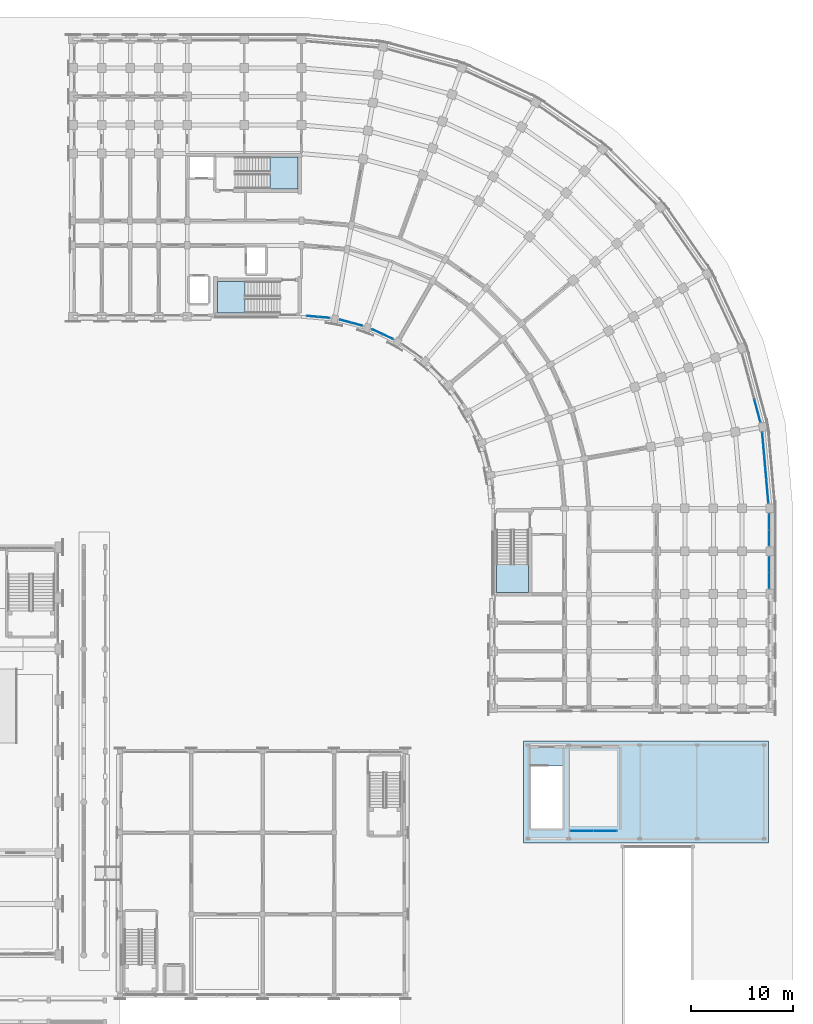
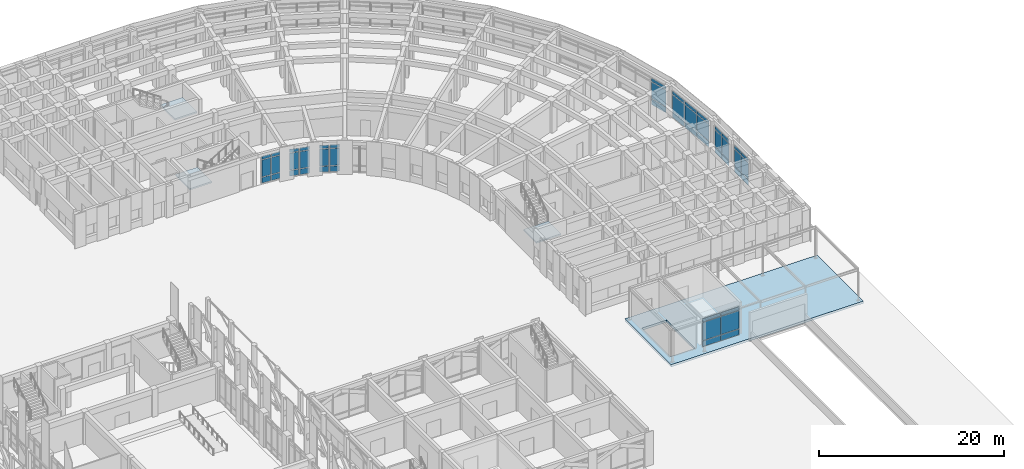
# One storey, part 70 of 135: 48 plates, 4 slabs, 11 elements without a shape of their own.
"""IFC4 building model written with IfcOpenShell, lengths in metres."""

import ifcopenshell
import ifcopenshell.guid

model = None  # the IFC model being written
_history = None  # IfcOwnerHistory: only IFC2X3 demands one
_inside = {}  # id of a spatial element -> (the spatial element, [elements in it])
_under = {}  # id of a project, library or spatial element -> (it, [spatial elements below it])
_declared = {}  # id of a project -> (the project, [libraries it declares])
_typed = {}  # id of a type object -> (the type object, [elements of that type])
_made_of = {}  # id of a material, layer set ... -> (it, [elements and type objects made of it])


def new_model(schema):
    """Start an empty IFC model of exactly this schema.

    Asked for "IFC4X3", IfcOpenShell would pick the latest addendum, in which some entities
    have other attributes; the version numbers below select the first issue.
    IFC2X3 requires an IfcOwnerHistory on every rooted entity: one is made here for all.
    """
    global model, _history
    if schema == "IFC4X3":
        model = ifcopenshell.file(schema_version=(4, 3, 0, 0))
    else:
        model = ifcopenshell.file(schema=schema)
    _inside.clear()
    _under.clear()
    _declared.clear()
    _typed.clear()
    _made_of.clear()
    _history = None
    if model.schema == "IFC2X3":
        org = make("IfcOrganization", Name="unknown")
        user = make(
            "IfcPersonAndOrganization",
            ThePerson=make("IfcPerson", FamilyName="unknown"),
            TheOrganization=org,
        )
        app = make(
            "IfcApplication",
            ApplicationDeveloper=org,
            Version="unknown",
            ApplicationFullName="unknown",
            ApplicationIdentifier="unknown",
        )
        _history = make(
            "IfcOwnerHistory",
            OwningUser=user,
            OwningApplication=app,
            ChangeAction="ADDED",
            CreationDate=0,
        )
    return model


def make(cls, **values):
    """One entity of the class cls with the attributes given. An attribute that is None is left unset."""
    return model.create_entity(
        cls, **{name: value for name, value in values.items() if value is not None}
    )


def rooted(cls, **values):
    """An entity with a GlobalId (a new one), such as an element, a storey or a relation."""
    return make(cls, GlobalId=ifcopenshell.guid.new(), OwnerHistory=_history, **values)


def si_unit(unit_type, name, prefix=None):
    """IfcSIUnit, for example si_unit("LENGTHUNIT", "METRE", prefix="MILLI")."""
    return make("IfcSIUnit", UnitType=unit_type, Prefix=prefix, Name=name)


def assignment(units):
    """IfcUnitAssignment: the units of a project."""
    return None if units is None else make("IfcUnitAssignment", Units=units)


def point(xyz):
    """IfcCartesianPoint."""
    return None if xyz is None else make("IfcCartesianPoint", Coordinates=xyz)


def direction(xyz):
    """IfcDirection."""
    return None if xyz is None else make("IfcDirection", DirectionRatios=xyz)


def frame(location, z_axis=None, x_axis=None):
    """IfcAxis2Placement3D, a coordinate frame: its origin and axes. An axis left out is left unset."""
    return make(
        "IfcAxis2Placement3D",
        Location=point(location),
        Axis=direction(z_axis),
        RefDirection=direction(x_axis),
    )


def frame_2d(location, x_axis=None):
    """IfcAxis2Placement2D, a coordinate frame in the plane: its origin and x axis."""
    return make(
        "IfcAxis2Placement2D", Location=point(location), RefDirection=direction(x_axis)
    )


def origin():
    """The frame at (0, 0, 0) with its axes left unset."""
    return frame((0.0, 0.0, 0.0))


def origin_2d():
    """The frame at (0, 0) in the plane with its x axis left unset."""
    return frame_2d((0.0, 0.0))


def place(relative_to, where):
    """IfcLocalPlacement: puts the frame where relative to a parent placement (None: the world)."""
    return make(
        "IfcLocalPlacement", PlacementRelTo=relative_to, RelativePlacement=where
    )


def context(
    kind, dimensions, precision=None, world=None, true_north=None, identifier=None
):
    """IfcGeometricRepresentationContext, for example the 3D "Model" context."""
    return make(
        "IfcGeometricRepresentationContext",
        ContextIdentifier=identifier,
        ContextType=kind,
        CoordinateSpaceDimension=dimensions,
        Precision=precision,
        WorldCoordinateSystem=world,
        TrueNorth=true_north,
    )


def subcontext(parent, identifier, kind, view, scale=None):
    """IfcGeometricRepresentationSubContext, for example "Body" below "Model"."""
    return make(
        "IfcGeometricRepresentationSubContext",
        ContextIdentifier=identifier,
        ContextType=kind,
        ParentContext=parent,
        TargetScale=scale,
        TargetView=view,
    )


def project(units=None, contexts=None):
    """IfcProject with its units and contexts."""
    return rooted(
        "IfcProject",
        Name="project",
        RepresentationContexts=contexts,
        UnitsInContext=assignment(units),
    )


def spatial(cls, under=None, at=None, **own):
    """A site, building, storey or space (cls), placed at a placement, below another one or the project."""
    s = rooted(cls, ObjectPlacement=at, **own)
    if under is not None:
        _under.setdefault(under.id(), (under, []))[1].append(s)
    return s


def polyline(points):
    """IfcPolyline through the points."""
    return make("IfcPolyline", Points=[point(p) for p in points])


def profile(cls, at=None, kind="AREA", **sizes):
    """A parametric profile (cls). Its sizes go by their IFC names, for example OverallWidth=200.0."""
    return make(cls, ProfileType=kind, Position=at, **sizes)


def rectangle(**sizes):
    """IfcRectangleProfileDef."""
    return profile("IfcRectangleProfileDef", **sizes)


def outline(outer, holes=None, kind="AREA"):
    """IfcArbitraryClosedProfileDef: a profile drawn as a closed curve; with holes, ...WithVoids."""
    if holes is None:
        return make("IfcArbitraryClosedProfileDef", ProfileType=kind, OuterCurve=outer)
    return make(
        "IfcArbitraryProfileDefWithVoids",
        ProfileType=kind,
        OuterCurve=outer,
        InnerCurves=holes,
    )


def extrude(swept, where, along, depth):
    """IfcExtrudedAreaSolid: the profile swept, set in the frame where, extruded along a direction by depth."""
    return make(
        "IfcExtrudedAreaSolid",
        SweptArea=swept,
        Position=where,
        ExtrudedDirection=direction(along),
        Depth=depth,
    )


def shape(context_of_items, identifier, shape_type, items):
    """IfcShapeRepresentation: the items that make up one representation, for example the "Body"."""
    return make(
        "IfcShapeRepresentation",
        ContextOfItems=context_of_items,
        RepresentationIdentifier=identifier,
        RepresentationType=shape_type,
        Items=items,
    )


def material(Name=None, Category=None):
    """IfcMaterial."""
    return make("IfcMaterial", Name=Name, Category=Category)


def layer(
    of_material, thickness, ventilated=None, Name=None, Category=None, Priority=None
):
    """IfcMaterialLayer: one layer of a wall or slab, of a material (None: an air gap)."""
    return make(
        "IfcMaterialLayer",
        Material=of_material,
        LayerThickness=thickness,
        IsVentilated=ventilated,
        Name=Name,
        Category=Category,
        Priority=Priority,
    )


def layer_set(layers, Name=None):
    """IfcMaterialLayerSet."""
    return make("IfcMaterialLayerSet", MaterialLayers=layers, LayerSetName=Name)


def made_of(thing, what):
    """Note that an element or type object is made of a material, layer set ...; save() writes the relation."""
    if what is not None:
        _made_of.setdefault(what.id(), (what, []))[1].append(thing)
    return thing


def type_object(cls, material=None, **own):
    """A type object (cls), such as IfcWallType, which elements share."""
    return made_of(rooted(cls, **own), material)


def element(
    cls,
    number,
    at=None,
    inside=None,
    cuts=None,
    type_object=None,
    material=None,
    context=None,
    identifier="Body",
    shape_type=None,
    held_by="IfcProductDefinitionShape",
    body=None,
    shapes=None,
    **own,
):
    """One element of the class cls, such as IfcWall. Its Tag is "e" and its number.

    at: its placement. inside: the storey or other place that contains it. cuts: it is an
    opening in that element (IfcRelVoidsElement). A single representation is given by context,
    identifier, shape_type and body (its items); several are given by shapes. held_by: the class
    of the entity that holds the representations. save() writes the other relations.
    """
    e = rooted(cls, Tag="e%d" % number, ObjectPlacement=at, **own)
    if body is not None:
        shapes = [shape(context, identifier, shape_type, body)]
    if shapes is not None:
        e.Representation = make(held_by, Representations=shapes)
    if inside is not None:
        _inside.setdefault(inside.id(), (inside, []))[1].append(e)
    if cuts is not None:
        rooted(
            "IfcRelVoidsElement", RelatingBuildingElement=cuts, RelatedOpeningElement=e
        )
    if type_object is not None:
        _typed.setdefault(type_object.id(), (type_object, []))[1].append(e)
    return made_of(e, material)


def aggregate(whole, parts):
    """IfcRelAggregates: a whole, such as a stair, and the parts it consists of."""
    return rooted("IfcRelAggregates", RelatingObject=whole, RelatedObjects=parts)


def save(model, path):
    """Write the relations noted so far, then the file.

    IfcRelAggregates (storeys below a building ...), IfcRelContainedInSpatialStructure (elements
    in a storey), IfcRelDefinesByType, IfcRelAssociatesMaterial and IfcRelDeclares: one each for
    every whole, place, type object, material and project.
    """
    for whole, parts in _under.values():
        aggregate(whole, parts)
    for where, things in _inside.values():
        rooted(
            "IfcRelContainedInSpatialStructure",
            RelatedElements=things,
            RelatingStructure=where,
        )
    for kind, things in _typed.values():
        rooted("IfcRelDefinesByType", RelatedObjects=things, RelatingType=kind)
    for what, things in _made_of.values():
        rooted("IfcRelAssociatesMaterial", RelatedObjects=things, RelatingMaterial=what)
    for by, libraries in _declared.values():
        rooted("IfcRelDeclares", RelatingContext=by, RelatedDefinitions=libraries)
    model.write(path)


model = new_model("IFC4")

# Units and contexts
model_context = context("Model", 3, precision=1e-05, world=origin(), true_north=direction((0.0, 1.0)))
body_context = subcontext(model_context, "Body", "Model", "MODEL_VIEW")
ifc_project = project(units=[si_unit("LENGTHUNIT", "METRE"), si_unit("AREAUNIT", "SQUARE_METRE"), si_unit("VOLUMEUNIT", "CUBIC_METRE"), si_unit("PLANEANGLEUNIT", "RADIAN"), si_unit("MASSUNIT", "GRAM", prefix="KILO")], contexts=[model_context])

# Site, building, storey
site_placement = place(None, origin())
site = spatial("IfcSite", under=ifc_project, at=site_placement, CompositionType="ELEMENT")
building_placement = place(site_placement, origin())
building = spatial("IfcBuilding", under=site, at=building_placement, Name="Kiranvali Square Residences", CompositionType="ELEMENT")
storey_placement = place(building_placement, origin())
storey = spatial("IfcBuildingStorey", under=building, at=storey_placement, Name="L00", CompositionType="ELEMENT", Elevation=0.0)

# Curtain wall, plates
ifc_material_1 = material(Name="Anodised bronze aluminium framing", Category="aluminium")
curtain_wall_type = type_object("IfcCurtainWallType", Name="CW-RET-SHOP", PredefinedType="USERDEFINED", material=ifc_material_1)
curtain_wall_1_placement = place(storey_placement, origin())
curtain_wall_1 = element("IfcCurtainWall", 1, at=curtain_wall_1_placement, inside=storey, type_object=curtain_wall_type, Name="Block B L00 rounded-corner arcade curtain wall 8", ObjectType="CURTAIN WALL", PredefinedType="USERDEFINED")
ifc_material_2 = material(Name="Solar-control low-e double glazing", Category="glass")
ifc_layer_1 = layer(ifc_material_2, 0.028076171875)
ifc_layer_set_1 = layer_set([ifc_layer_1], Name="Solar-control low-e double glazing")
plate_type_1 = type_object("IfcPlateType", Name="PLT-CW-GLZ", PredefinedType="CURTAIN_PANEL", material=ifc_layer_set_1)
plate_1_placement = place(storey_placement, frame((164.51904296875, 97.381103515625, 0.89013671875), z_axis=(0.0, 0.0, 1.0), x_axis=(0.258819045103, -0.965925826289, 0.0)))
plate_1 = element("IfcPlate", 2, at=plate_1_placement, type_object=plate_type_1, Name="CW-B-L00-CRV-07 glazed panel 3.2", PredefinedType="CURTAIN_PANEL", context=body_context, shape_type="SweptSolid", body=[
    extrude(rectangle(XDim=2.239501953125, YDim=0.028076171875, at=origin_2d()), origin(), (0.0, 0.0, 1.0), 2.169921875),
])
plate_2_placement = place(storey_placement, frame((164.51904296875, 97.381103515625, 3.14013671875), z_axis=(0.0, 0.0, 1.0), x_axis=(0.258819045103, -0.965925826289, 0.0)))
plate_2 = element("IfcPlate", 3, at=plate_2_placement, type_object=plate_type_1, Name="CW-B-L00-CRV-07 glazed panel 3.3", PredefinedType="CURTAIN_PANEL", context=body_context, shape_type="SweptSolid", body=[
    extrude(rectangle(XDim=2.239501953125, YDim=0.028076171875, at=origin_2d()), origin(), (0.0, 0.0, 1.0), 0.429931640625),
])

curtain_wall_2_placement = place(storey_placement, origin())
curtain_wall_2 = element("IfcCurtainWall", 4, at=curtain_wall_2_placement, inside=storey, type_object=curtain_wall_type, Name="Block B L00 rounded-corner arcade curtain wall 9", ObjectType="CURTAIN WALL", PredefinedType="USERDEFINED")
plate_3_placement = place(storey_placement, frame((165.09912109375, 94.091552734375, 0.89013671875), z_axis=(0.0, 0.0, 1.0), x_axis=(0.087155742748, -0.996194698092, 0.0)))
plate_3 = element("IfcPlate", 5, at=plate_3_placement, type_object=plate_type_1, Name="CW-B-L00-CRV-08 glazed panel 1.2", PredefinedType="CURTAIN_PANEL", context=body_context, shape_type="SweptSolid", body=[
    extrude(rectangle(XDim=2.239501953125, YDim=0.028076171875, at=origin_2d()), origin(), (0.0, 0.0, 1.0), 2.169921875),
])
plate_4_placement = place(storey_placement, frame((165.09912109375, 94.091552734375, 3.14013671875), z_axis=(0.0, 0.0, 1.0), x_axis=(0.087155742748, -0.996194698092, 0.0)))
plate_4 = element("IfcPlate", 6, at=plate_4_placement, type_object=plate_type_1, Name="CW-B-L00-CRV-08 glazed panel 1.3", PredefinedType="CURTAIN_PANEL", context=body_context, shape_type="SweptSolid", body=[
    extrude(rectangle(XDim=2.239501953125, YDim=0.028076171875, at=origin_2d()), origin(), (0.0, 0.0, 1.0), 0.429931640625),
])
plate_5_placement = place(storey_placement, frame((165.30126953125, 91.78076171875, 0.89013671875), z_axis=(0.0, 0.0, 1.0), x_axis=(0.087155742748, -0.996194698092, 0.0)))
plate_5 = element("IfcPlate", 7, at=plate_5_placement, type_object=plate_type_1, Name="CW-B-L00-CRV-08 glazed panel 2.2", PredefinedType="CURTAIN_PANEL", context=body_context, shape_type="SweptSolid", body=[
    extrude(rectangle(XDim=2.239501953125, YDim=0.028076171875, at=origin_2d()), origin(), (0.0, 0.0, 1.0), 2.169921875),
])
plate_6_placement = place(storey_placement, frame((165.30126953125, 91.78076171875, 3.14013671875), z_axis=(0.0, 0.0, 1.0), x_axis=(0.087155742748, -0.996194698092, 0.0)))
plate_6 = element("IfcPlate", 8, at=plate_6_placement, type_object=plate_type_1, Name="CW-B-L00-CRV-08 glazed panel 2.3", PredefinedType="CURTAIN_PANEL", context=body_context, shape_type="SweptSolid", body=[
    extrude(rectangle(XDim=2.239501953125, YDim=0.028076171875, at=origin_2d()), origin(), (0.0, 0.0, 1.0), 0.429931640625),
])
plate_7_placement = place(storey_placement, frame((165.50341796875, 89.47021484375, 0.89013671875), z_axis=(0.0, 0.0, 1.0), x_axis=(0.087155742748, -0.996194698092, 0.0)))
plate_7 = element("IfcPlate", 9, at=plate_7_placement, type_object=plate_type_1, Name="CW-B-L00-CRV-08 glazed panel 3.2", PredefinedType="CURTAIN_PANEL", context=body_context, shape_type="SweptSolid", body=[
    extrude(rectangle(XDim=2.239501953125, YDim=0.028076171875, at=origin_2d()), origin(), (0.0, 0.0, 1.0), 2.169921875),
])
plate_8_placement = place(storey_placement, frame((165.50341796875, 89.47021484375, 3.14013671875), z_axis=(0.0, 0.0, 1.0), x_axis=(0.087155742748, -0.996194698092, 0.0)))
plate_8 = element("IfcPlate", 10, at=plate_8_placement, type_object=plate_type_1, Name="CW-B-L00-CRV-08 glazed panel 3.3", PredefinedType="CURTAIN_PANEL", context=body_context, shape_type="SweptSolid", body=[
    extrude(rectangle(XDim=2.239501953125, YDim=0.028076171875, at=origin_2d()), origin(), (0.0, 0.0, 1.0), 0.429931640625),
])

curtain_wall_3_placement = place(storey_placement, origin())
curtain_wall_3 = element("IfcCurtainWall", 11, at=curtain_wall_3_placement, inside=storey, type_object=curtain_wall_type, Name="Block B L00 garden foyer curtain wall 1", ObjectType="CURTAIN WALL", PredefinedType="USERDEFINED")
plate_9_placement = place(storey_placement, frame((120.875732421875, 106.62646484375, 0.89013671875), z_axis=(0.0, 0.0, 1.0), x_axis=(0.996194698092, -0.087155742748, 0.0)))
plate_9 = element("IfcPlate", 12, at=plate_9_placement, type_object=plate_type_1, Name="CW-B-L00-GDN-00 glazed panel 1.2", PredefinedType="CURTAIN_PANEL", context=body_context, shape_type="SweptSolid", body=[
    extrude(rectangle(XDim=1.05859375, YDim=0.028076171875, at=origin_2d()), origin(), (0.0, 0.0, 1.0), 2.219970703125),
])
plate_10_placement = place(storey_placement, frame((120.875732421875, 106.62646484375, 3.18994140625), z_axis=(0.0, 0.0, 1.0), x_axis=(0.996194698092, -0.087155742748, 0.0)))
plate_10 = element("IfcPlate", 13, at=plate_10_placement, type_object=plate_type_1, Name="CW-B-L00-GDN-00 glazed panel 1.3", PredefinedType="CURTAIN_PANEL", context=body_context, shape_type="SweptSolid", body=[
    extrude(rectangle(XDim=1.05859375, YDim=0.028076171875, at=origin_2d()), origin(), (0.0, 0.0, 1.0), 0.429931640625),
])
plate_11_placement = place(storey_placement, frame((122.009765625, 106.527099609375, 0.89013671875), z_axis=(0.0, 0.0, 1.0), x_axis=(0.996194698092, -0.087155742748, 0.0)))
plate_11 = element("IfcPlate", 14, at=plate_11_placement, type_object=plate_type_1, Name="CW-B-L00-GDN-00 glazed panel 2.2", PredefinedType="CURTAIN_PANEL", context=body_context, shape_type="SweptSolid", body=[
    extrude(rectangle(XDim=1.05859375, YDim=0.028076171875, at=origin_2d()), origin(), (0.0, 0.0, 1.0), 2.219970703125),
])
plate_12_placement = place(storey_placement, frame((122.009765625, 106.527099609375, 3.18994140625), z_axis=(0.0, 0.0, 1.0), x_axis=(0.996194698092, -0.087155742748, 0.0)))
plate_12 = element("IfcPlate", 15, at=plate_12_placement, type_object=plate_type_1, Name="CW-B-L00-GDN-00 glazed panel 2.3", PredefinedType="CURTAIN_PANEL", context=body_context, shape_type="SweptSolid", body=[
    extrude(rectangle(XDim=1.05859375, YDim=0.028076171875, at=origin_2d()), origin(), (0.0, 0.0, 1.0), 0.429931640625),
])

curtain_wall_4_placement = place(storey_placement, origin())
curtain_wall_4 = element("IfcCurtainWall", 16, at=curtain_wall_4_placement, inside=storey, type_object=curtain_wall_type, Name="Block B L00 garden foyer curtain wall 2", ObjectType="CURTAIN WALL", PredefinedType="USERDEFINED")
plate_13_placement = place(storey_placement, frame((124.12841796875, 106.153564453125, 0.89013671875), z_axis=(0.0, 0.0, 1.0), x_axis=(0.965925826289, -0.258819045103, 0.0)))
plate_13 = element("IfcPlate", 17, at=plate_13_placement, type_object=plate_type_1, Name="CW-B-L00-GDN-01 glazed panel 1.2", PredefinedType="CURTAIN_PANEL", context=body_context, shape_type="SweptSolid", body=[
    extrude(rectangle(XDim=1.05859375, YDim=0.028076171875, at=origin_2d()), origin(), (0.0, 0.0, 1.0), 2.219970703125),
])
plate_14_placement = place(storey_placement, frame((124.12841796875, 106.153564453125, 3.18994140625), z_axis=(0.0, 0.0, 1.0), x_axis=(0.965925826289, -0.258819045103, 0.0)))
plate_14 = element("IfcPlate", 18, at=plate_14_placement, type_object=plate_type_1, Name="CW-B-L00-GDN-01 glazed panel 1.3", PredefinedType="CURTAIN_PANEL", context=body_context, shape_type="SweptSolid", body=[
    extrude(rectangle(XDim=1.05859375, YDim=0.028076171875, at=origin_2d()), origin(), (0.0, 0.0, 1.0), 0.429931640625),
])
plate_15_placement = place(storey_placement, frame((125.228271484375, 105.85888671875, 0.89013671875), z_axis=(0.0, 0.0, 1.0), x_axis=(0.965925826289, -0.258819045103, 0.0)))
plate_15 = element("IfcPlate", 19, at=plate_15_placement, type_object=plate_type_1, Name="CW-B-L00-GDN-01 glazed panel 2.2", PredefinedType="CURTAIN_PANEL", context=body_context, shape_type="SweptSolid", body=[
    extrude(rectangle(XDim=1.05859375, YDim=0.028076171875, at=origin_2d()), origin(), (0.0, 0.0, 1.0), 2.219970703125),
])
plate_16_placement = place(storey_placement, frame((125.228271484375, 105.85888671875, 3.18994140625), z_axis=(0.0, 0.0, 1.0), x_axis=(0.965925826289, -0.258819045103, 0.0)))
plate_16 = element("IfcPlate", 20, at=plate_16_placement, type_object=plate_type_1, Name="CW-B-L00-GDN-01 glazed panel 2.3", PredefinedType="CURTAIN_PANEL", context=body_context, shape_type="SweptSolid", body=[
    extrude(rectangle(XDim=1.05859375, YDim=0.028076171875, at=origin_2d()), origin(), (0.0, 0.0, 1.0), 0.429931640625),
])

curtain_wall_5_placement = place(storey_placement, origin())
curtain_wall_5 = element("IfcCurtainWall", 21, at=curtain_wall_5_placement, inside=storey, type_object=curtain_wall_type, Name="Block B L00 garden foyer curtain wall 3", ObjectType="CURTAIN WALL", PredefinedType="USERDEFINED")
plate_17_placement = place(storey_placement, frame((127.249755859375, 105.123046875, 0.89013671875), z_axis=(0.0, 0.0, 1.0), x_axis=(0.906307787037, -0.422618261741, 0.0)))
plate_17 = element("IfcPlate", 22, at=plate_17_placement, type_object=plate_type_1, Name="CW-B-L00-GDN-02 glazed panel 1.2", PredefinedType="CURTAIN_PANEL", context=body_context, shape_type="SweptSolid", body=[
    extrude(rectangle(XDim=1.05859375, YDim=0.028076171875, at=origin_2d()), origin(), (0.0, 0.0, 1.0), 2.219970703125),
])
plate_18_placement = place(storey_placement, frame((127.249755859375, 105.123046875, 3.18994140625), z_axis=(0.0, 0.0, 1.0), x_axis=(0.906307787037, -0.422618261741, 0.0)))
plate_18 = element("IfcPlate", 23, at=plate_18_placement, type_object=plate_type_1, Name="CW-B-L00-GDN-02 glazed panel 1.3", PredefinedType="CURTAIN_PANEL", context=body_context, shape_type="SweptSolid", body=[
    extrude(rectangle(XDim=1.05859375, YDim=0.028076171875, at=origin_2d()), origin(), (0.0, 0.0, 1.0), 0.429931640625),
])
plate_19_placement = place(storey_placement, frame((128.28173828125, 104.641845703125, 0.89013671875), z_axis=(0.0, 0.0, 1.0), x_axis=(0.906307787037, -0.422618261741, 0.0)))
plate_19 = element("IfcPlate", 24, at=plate_19_placement, type_object=plate_type_1, Name="CW-B-L00-GDN-02 glazed panel 2.2", PredefinedType="CURTAIN_PANEL", context=body_context, shape_type="SweptSolid", body=[
    extrude(rectangle(XDim=1.05859375, YDim=0.028076171875, at=origin_2d()), origin(), (0.0, 0.0, 1.0), 2.219970703125),
])
plate_20_placement = place(storey_placement, frame((128.28173828125, 104.641845703125, 3.18994140625), z_axis=(0.0, 0.0, 1.0), x_axis=(0.906307787037, -0.422618261741, 0.0)))
plate_20 = element("IfcPlate", 25, at=plate_20_placement, type_object=plate_type_1, Name="CW-B-L00-GDN-02 glazed panel 2.3", PredefinedType="CURTAIN_PANEL", context=body_context, shape_type="SweptSolid", body=[
    extrude(rectangle(XDim=1.05859375, YDim=0.028076171875, at=origin_2d()), origin(), (0.0, 0.0, 1.0), 0.429931640625),
])

curtain_wall_6_placement = place(storey_placement, origin())
curtain_wall_6 = element("IfcCurtainWall", 26, at=curtain_wall_6_placement, inside=storey, type_object=curtain_wall_type, Name="L00 curtain wall CW-B-L00-A2-0", ObjectType="CURTAIN WALL", PredefinedType="USERDEFINED")
plate_21_placement = place(storey_placement, frame((165.679931640625, 86.485107421875, 0.89013671875), z_axis=(0.0, 0.0, 1.0), x_axis=(0.0, -1.0, 0.0)))
plate_21 = element("IfcPlate", 27, at=plate_21_placement, type_object=plate_type_1, Name="CW-B-L00-A2-0 glazed panel 1.2", PredefinedType="CURTAIN_PANEL", context=body_context, shape_type="SweptSolid", body=[
    extrude(rectangle(XDim=1.489990234375, YDim=0.028076171875, at=origin_2d()), origin(), (0.0, 0.0, 1.0), 2.169921875),
])
plate_22_placement = place(storey_placement, frame((165.679931640625, 86.485107421875, 3.14013671875), z_axis=(0.0, 0.0, 1.0), x_axis=(0.0, -1.0, 0.0)))
plate_22 = element("IfcPlate", 28, at=plate_22_placement, type_object=plate_type_1, Name="CW-B-L00-A2-0 glazed panel 1.3", PredefinedType="CURTAIN_PANEL", context=body_context, shape_type="SweptSolid", body=[
    extrude(rectangle(XDim=1.489990234375, YDim=0.028076171875, at=origin_2d()), origin(), (0.0, 0.0, 1.0), 0.429931640625),
])
plate_23_placement = place(storey_placement, frame((165.679931640625, 84.9150390625, 0.89013671875), z_axis=(0.0, 0.0, 1.0), x_axis=(0.0, -1.0, 0.0)))
plate_23 = element("IfcPlate", 29, at=plate_23_placement, type_object=plate_type_1, Name="CW-B-L00-A2-0 glazed panel 2.2", PredefinedType="CURTAIN_PANEL", context=body_context, shape_type="SweptSolid", body=[
    extrude(rectangle(XDim=1.489990234375, YDim=0.028076171875, at=origin_2d()), origin(), (0.0, 0.0, 1.0), 2.169921875),
])
plate_24_placement = place(storey_placement, frame((165.679931640625, 84.9150390625, 3.14013671875), z_axis=(0.0, 0.0, 1.0), x_axis=(0.0, -1.0, 0.0)))
plate_24 = element("IfcPlate", 30, at=plate_24_placement, type_object=plate_type_1, Name="CW-B-L00-A2-0 glazed panel 2.3", PredefinedType="CURTAIN_PANEL", context=body_context, shape_type="SweptSolid", body=[
    extrude(rectangle(XDim=1.489990234375, YDim=0.028076171875, at=origin_2d()), origin(), (0.0, 0.0, 1.0), 0.429931640625),
])

curtain_wall_7_placement = place(storey_placement, origin())
curtain_wall_7 = element("IfcCurtainWall", 31, at=curtain_wall_7_placement, inside=storey, type_object=curtain_wall_type, Name="L00 curtain wall CW-B-L00-A2-1", ObjectType="CURTAIN WALL", PredefinedType="USERDEFINED")
plate_25_placement = place(storey_placement, frame((165.679931640625, 82.284912109375, 0.89013671875), z_axis=(0.0, 0.0, 1.0), x_axis=(0.0, -1.0, 0.0)))
plate_25 = element("IfcPlate", 32, at=plate_25_placement, type_object=plate_type_1, Name="CW-B-L00-A2-1 glazed panel 1.2", PredefinedType="CURTAIN_PANEL", context=body_context, shape_type="SweptSolid", body=[
    extrude(rectangle(XDim=1.489990234375, YDim=0.028076171875, at=origin_2d()), origin(), (0.0, 0.0, 1.0), 2.169921875),
])
plate_26_placement = place(storey_placement, frame((165.679931640625, 82.284912109375, 3.14013671875), z_axis=(0.0, 0.0, 1.0), x_axis=(0.0, -1.0, 0.0)))
plate_26 = element("IfcPlate", 33, at=plate_26_placement, type_object=plate_type_1, Name="CW-B-L00-A2-1 glazed panel 1.3", PredefinedType="CURTAIN_PANEL", context=body_context, shape_type="SweptSolid", body=[
    extrude(rectangle(XDim=1.489990234375, YDim=0.028076171875, at=origin_2d()), origin(), (0.0, 0.0, 1.0), 0.429931640625),
])
plate_27_placement = place(storey_placement, frame((165.679931640625, 80.715087890625, 0.89013671875), z_axis=(0.0, 0.0, 1.0), x_axis=(0.0, -1.0, 0.0)))
plate_27 = element("IfcPlate", 34, at=plate_27_placement, type_object=plate_type_1, Name="CW-B-L00-A2-1 glazed panel 2.2", PredefinedType="CURTAIN_PANEL", context=body_context, shape_type="SweptSolid", body=[
    extrude(rectangle(XDim=1.489990234375, YDim=0.028076171875, at=origin_2d()), origin(), (0.0, 0.0, 1.0), 2.169921875),
])
plate_28_placement = place(storey_placement, frame((165.679931640625, 80.715087890625, 3.14013671875), z_axis=(0.0, 0.0, 1.0), x_axis=(0.0, -1.0, 0.0)))
plate_28 = element("IfcPlate", 35, at=plate_28_placement, type_object=plate_type_1, Name="CW-B-L00-A2-1 glazed panel 2.3", PredefinedType="CURTAIN_PANEL", context=body_context, shape_type="SweptSolid", body=[
    extrude(rectangle(XDim=1.489990234375, YDim=0.028076171875, at=origin_2d()), origin(), (0.0, 0.0, 1.0), 0.429931640625),
])

curtain_wall_8_placement = place(storey_placement, origin())
curtain_wall_8 = element("IfcCurtainWall", 36, at=curtain_wall_8_placement, inside=storey, type_object=curtain_wall_type, Name="East Street Mobility Kiosk South Glazed Front", ObjectType="CURTAIN WALL", PredefinedType="USERDEFINED")
plate_29_placement = place(storey_placement, frame((147.300048828125, 56.14990234375, 0.889892578125), z_axis=(0.0, 0.0, 1.0), x_axis=(1.0, 0.0, 0.0)))
plate_29 = element("IfcPlate", 37, at=plate_29_placement, type_object=plate_type_1, Name="CW-KSK-E-1 glazed panel 1.2", PredefinedType="CURTAIN_PANEL", context=body_context, shape_type="SweptSolid", body=[
    extrude(rectangle(XDim=2.219970703125, YDim=0.028076171875, at=origin_2d()), origin(), (0.0, 0.0, 1.0), 2.3701171875),
])
plate_30_placement = place(storey_placement, frame((147.300048828125, 56.14990234375, 3.33984375), z_axis=(0.0, 0.0, 1.0), x_axis=(1.0, 0.0, 0.0)))
plate_30 = element("IfcPlate", 38, at=plate_30_placement, type_object=plate_type_1, Name="CW-KSK-E-1 glazed panel 1.3", PredefinedType="CURTAIN_PANEL", context=body_context, shape_type="SweptSolid", body=[
    extrude(rectangle(XDim=2.219970703125, YDim=0.028076171875, at=origin_2d()), origin(), (0.0, 0.0, 1.0), 0.429931640625),
])
plate_31_placement = place(storey_placement, frame((149.60009765625, 56.14990234375, 0.889892578125), z_axis=(0.0, 0.0, 1.0), x_axis=(1.0, 0.0, 0.0)))
plate_31 = element("IfcPlate", 39, at=plate_31_placement, type_object=plate_type_1, Name="CW-KSK-E-1 glazed panel 2.2", PredefinedType="CURTAIN_PANEL", context=body_context, shape_type="SweptSolid", body=[
    extrude(rectangle(XDim=2.219970703125, YDim=0.028076171875, at=origin_2d()), origin(), (0.0, 0.0, 1.0), 2.3701171875),
])
plate_32_placement = place(storey_placement, frame((149.60009765625, 56.14990234375, 3.33984375), z_axis=(0.0, 0.0, 1.0), x_axis=(1.0, 0.0, 0.0)))
plate_32 = element("IfcPlate", 40, at=plate_32_placement, type_object=plate_type_1, Name="CW-KSK-E-1 glazed panel 2.3", PredefinedType="CURTAIN_PANEL", context=body_context, shape_type="SweptSolid", body=[
    extrude(rectangle(XDim=2.219970703125, YDim=0.028076171875, at=origin_2d()), origin(), (0.0, 0.0, 1.0), 0.429931640625),
])

# Plate
ifc_material_3 = material(Name="Honed Porbandar limestone ashlar facade cladding", Category="masonry")
ifc_layer_2 = layer(ifc_material_3, 0.02392578125)
ifc_layer_set_2 = layer_set([ifc_layer_2], Name="Honed Porbandar limestone ashlar facade cladding")
plate_type_2 = type_object("IfcPlateType", Name="PLT-CW-SPN", PredefinedType="SHEET", material=ifc_layer_set_2)
plate_33_placement = place(storey_placement, frame((164.51904296875, 97.381103515625, 0.080078125), z_axis=(0.0, 0.0, 1.0), x_axis=(0.258819045103, -0.965925826289, 0.0)))
plate_33 = element("IfcPlate", 41, at=plate_33_placement, type_object=plate_type_2, Name="CW-B-L00-CRV-07 spandrel panel 3.1", PredefinedType="SHEET", context=body_context, shape_type="SweptSolid", body=[
    extrude(rectangle(XDim=2.239501953125, YDim=0.02392578125, at=origin_2d()), origin(), (0.0, 0.0, 1.0), 0.72998046875),
])

aggregate(curtain_wall_1, [plate_33, plate_1, plate_2])

plate_34_placement = place(storey_placement, frame((165.09912109375, 94.091552734375, 0.080078125), z_axis=(0.0, 0.0, 1.0), x_axis=(0.087155742748, -0.996194698092, 0.0)))
plate_34 = element("IfcPlate", 42, at=plate_34_placement, type_object=plate_type_2, Name="CW-B-L00-CRV-08 spandrel panel 1.1", PredefinedType="SHEET", context=body_context, shape_type="SweptSolid", body=[
    extrude(rectangle(XDim=2.239501953125, YDim=0.02392578125, at=origin_2d()), origin(), (0.0, 0.0, 1.0), 0.72998046875),
])

plate_35_placement = place(storey_placement, frame((165.30126953125, 91.78076171875, 0.080078125), z_axis=(0.0, 0.0, 1.0), x_axis=(0.087155742748, -0.996194698092, 0.0)))
plate_35 = element("IfcPlate", 43, at=plate_35_placement, type_object=plate_type_2, Name="CW-B-L00-CRV-08 spandrel panel 2.1", PredefinedType="SHEET", context=body_context, shape_type="SweptSolid", body=[
    extrude(rectangle(XDim=2.239501953125, YDim=0.02392578125, at=origin_2d()), origin(), (0.0, 0.0, 1.0), 0.72998046875),
])

plate_36_placement = place(storey_placement, frame((165.50341796875, 89.47021484375, 0.080078125), z_axis=(0.0, 0.0, 1.0), x_axis=(0.087155742748, -0.996194698092, 0.0)))
plate_36 = element("IfcPlate", 44, at=plate_36_placement, type_object=plate_type_2, Name="CW-B-L00-CRV-08 spandrel panel 3.1", PredefinedType="SHEET", context=body_context, shape_type="SweptSolid", body=[
    extrude(rectangle(XDim=2.239501953125, YDim=0.02392578125, at=origin_2d()), origin(), (0.0, 0.0, 1.0), 0.72998046875),
])

aggregate(curtain_wall_2, [plate_34, plate_3, plate_4, plate_35, plate_5, plate_6, plate_36, plate_7, plate_8])

plate_37_placement = place(storey_placement, frame((120.875732421875, 106.62646484375, 0.080078125), z_axis=(0.0, 0.0, 1.0), x_axis=(0.996194698092, -0.087155742748, 0.0)))
plate_37 = element("IfcPlate", 45, at=plate_37_placement, type_object=plate_type_2, Name="CW-B-L00-GDN-00 spandrel panel 1.1", PredefinedType="SHEET", context=body_context, shape_type="SweptSolid", body=[
    extrude(rectangle(XDim=1.05859375, YDim=0.02392578125, at=origin_2d()), origin(), (0.0, 0.0, 1.0), 0.72998046875),
])

plate_38_placement = place(storey_placement, frame((122.009765625, 106.527099609375, 0.080078125), z_axis=(0.0, 0.0, 1.0), x_axis=(0.996194698092, -0.087155742748, 0.0)))
plate_38 = element("IfcPlate", 46, at=plate_38_placement, type_object=plate_type_2, Name="CW-B-L00-GDN-00 spandrel panel 2.1", PredefinedType="SHEET", context=body_context, shape_type="SweptSolid", body=[
    extrude(rectangle(XDim=1.05859375, YDim=0.02392578125, at=origin_2d()), origin(), (0.0, 0.0, 1.0), 0.72998046875),
])

aggregate(curtain_wall_3, [plate_37, plate_9, plate_10, plate_38, plate_11, plate_12])

plate_39_placement = place(storey_placement, frame((124.12841796875, 106.153564453125, 0.080078125), z_axis=(0.0, 0.0, 1.0), x_axis=(0.965925826289, -0.258819045103, 0.0)))
plate_39 = element("IfcPlate", 47, at=plate_39_placement, type_object=plate_type_2, Name="CW-B-L00-GDN-01 spandrel panel 1.1", PredefinedType="SHEET", context=body_context, shape_type="SweptSolid", body=[
    extrude(rectangle(XDim=1.05859375, YDim=0.02392578125, at=origin_2d()), origin(), (0.0, 0.0, 1.0), 0.72998046875),
])

plate_40_placement = place(storey_placement, frame((125.228271484375, 105.85888671875, 0.080078125), z_axis=(0.0, 0.0, 1.0), x_axis=(0.965925826289, -0.258819045103, 0.0)))
plate_40 = element("IfcPlate", 48, at=plate_40_placement, type_object=plate_type_2, Name="CW-B-L00-GDN-01 spandrel panel 2.1", PredefinedType="SHEET", context=body_context, shape_type="SweptSolid", body=[
    extrude(rectangle(XDim=1.05859375, YDim=0.02392578125, at=origin_2d()), origin(), (0.0, 0.0, 1.0), 0.72998046875),
])

aggregate(curtain_wall_4, [plate_39, plate_13, plate_14, plate_40, plate_15, plate_16])

plate_41_placement = place(storey_placement, frame((127.249755859375, 105.123046875, 0.080078125), z_axis=(0.0, 0.0, 1.0), x_axis=(0.906307787037, -0.422618261741, 0.0)))
plate_41 = element("IfcPlate", 49, at=plate_41_placement, type_object=plate_type_2, Name="CW-B-L00-GDN-02 spandrel panel 1.1", PredefinedType="SHEET", context=body_context, shape_type="SweptSolid", body=[
    extrude(rectangle(XDim=1.05859375, YDim=0.02392578125, at=origin_2d()), origin(), (0.0, 0.0, 1.0), 0.72998046875),
])

plate_42_placement = place(storey_placement, frame((128.28173828125, 104.641845703125, 0.080078125), z_axis=(0.0, 0.0, 1.0), x_axis=(0.906307787037, -0.422618261741, 0.0)))
plate_42 = element("IfcPlate", 50, at=plate_42_placement, type_object=plate_type_2, Name="CW-B-L00-GDN-02 spandrel panel 2.1", PredefinedType="SHEET", context=body_context, shape_type="SweptSolid", body=[
    extrude(rectangle(XDim=1.05859375, YDim=0.02392578125, at=origin_2d()), origin(), (0.0, 0.0, 1.0), 0.72998046875),
])

aggregate(curtain_wall_5, [plate_41, plate_17, plate_18, plate_42, plate_19, plate_20])

plate_43_placement = place(storey_placement, frame((165.679931640625, 86.485107421875, 0.080078125), z_axis=(0.0, 0.0, 1.0), x_axis=(0.0, -1.0, 0.0)))
plate_43 = element("IfcPlate", 51, at=plate_43_placement, type_object=plate_type_2, Name="CW-B-L00-A2-0 spandrel panel 1.1", PredefinedType="SHEET", context=body_context, shape_type="SweptSolid", body=[
    extrude(rectangle(XDim=1.489990234375, YDim=0.02392578125, at=origin_2d()), origin(), (0.0, 0.0, 1.0), 0.72998046875),
])

plate_44_placement = place(storey_placement, frame((165.679931640625, 84.9150390625, 0.080078125), z_axis=(0.0, 0.0, 1.0), x_axis=(0.0, -1.0, 0.0)))
plate_44 = element("IfcPlate", 52, at=plate_44_placement, type_object=plate_type_2, Name="CW-B-L00-A2-0 spandrel panel 2.1", PredefinedType="SHEET", context=body_context, shape_type="SweptSolid", body=[
    extrude(rectangle(XDim=1.489990234375, YDim=0.02392578125, at=origin_2d()), origin(), (0.0, 0.0, 1.0), 0.72998046875),
])

aggregate(curtain_wall_6, [plate_43, plate_21, plate_22, plate_44, plate_23, plate_24])

plate_45_placement = place(storey_placement, frame((165.679931640625, 82.284912109375, 0.080078125), z_axis=(0.0, 0.0, 1.0), x_axis=(0.0, -1.0, 0.0)))
plate_45 = element("IfcPlate", 53, at=plate_45_placement, type_object=plate_type_2, Name="CW-B-L00-A2-1 spandrel panel 1.1", PredefinedType="SHEET", context=body_context, shape_type="SweptSolid", body=[
    extrude(rectangle(XDim=1.489990234375, YDim=0.02392578125, at=origin_2d()), origin(), (0.0, 0.0, 1.0), 0.72998046875),
])

plate_46_placement = place(storey_placement, frame((165.679931640625, 80.715087890625, 0.080078125), z_axis=(0.0, 0.0, 1.0), x_axis=(0.0, -1.0, 0.0)))
plate_46 = element("IfcPlate", 54, at=plate_46_placement, type_object=plate_type_2, Name="CW-B-L00-A2-1 spandrel panel 2.1", PredefinedType="SHEET", context=body_context, shape_type="SweptSolid", body=[
    extrude(rectangle(XDim=1.489990234375, YDim=0.02392578125, at=origin_2d()), origin(), (0.0, 0.0, 1.0), 0.72998046875),
])

aggregate(curtain_wall_7, [plate_45, plate_25, plate_26, plate_46, plate_27, plate_28])

plate_47_placement = place(storey_placement, frame((147.300048828125, 56.14990234375, 0.080078125), z_axis=(0.0, 0.0, 1.0), x_axis=(1.0, 0.0, 0.0)))
plate_47 = element("IfcPlate", 55, at=plate_47_placement, type_object=plate_type_2, Name="CW-KSK-E-1 spandrel panel 1.1", PredefinedType="SHEET", context=body_context, shape_type="SweptSolid", body=[
    extrude(rectangle(XDim=2.219970703125, YDim=0.02392578125, at=origin_2d()), origin(), (0.0, 0.0, 1.0), 0.72998046875),
])

plate_48_placement = place(storey_placement, frame((149.60009765625, 56.14990234375, 0.080078125), z_axis=(0.0, 0.0, 1.0), x_axis=(1.0, 0.0, 0.0)))
plate_48 = element("IfcPlate", 56, at=plate_48_placement, type_object=plate_type_2, Name="CW-KSK-E-1 spandrel panel 2.1", PredefinedType="SHEET", context=body_context, shape_type="SweptSolid", body=[
    extrude(rectangle(XDim=2.219970703125, YDim=0.02392578125, at=origin_2d()), origin(), (0.0, 0.0, 1.0), 0.72998046875),
])

aggregate(curtain_wall_8, [plate_47, plate_29, plate_30, plate_48, plate_31, plate_32])

# Stair, slab
ifc_material_4 = material(Name="Concrete M35 (35 MPa)", Category="concrete")
stair_type = type_object("IfcStairType", Name="ST-CORE-1700", PredefinedType="HALF_TURN_STAIR", material=ifc_material_4)
stair_1_placement = place(storey_placement, origin())
stair_1 = element("IfcStair", 57, at=stair_1_placement, inside=storey, type_object=stair_type, Name="L00 Block B Firefighting Exit Stair 1", PredefinedType="HALF_TURN_STAIR")
ifc_layer_3 = layer(ifc_material_4, 0.199951171875)
ifc_layer_set_3 = layer_set([ifc_layer_3], Name="Concrete M35 (35 MPa)")
slab_type_1 = type_object("IfcSlabType", Name="SLB-LND-200", PredefinedType="LANDING", material=ifc_layer_set_3)
slab_1_placement = place(storey_placement, frame((0.0, 0.0, 2.050048828125)))
slab_1 = element("IfcSlab", 58, at=slab_1_placement, type_object=slab_type_1, Name="ST-B1 landing 1", PredefinedType="LANDING", context=body_context, shape_type="SweptSolid", body=[
    extrude(outline(polyline([(116.719970703125, 119.14990234375), (119.449951171875, 119.14990234375), (119.449951171875, 122.25), (116.719970703125, 122.25), (116.719970703125, 119.14990234375)])), origin(), (0.0, 0.0, 1.0), 0.199951171875),
])
aggregate(stair_1, [slab_1])

stair_2_placement = place(storey_placement, origin())
stair_2 = element("IfcStair", 59, at=stair_2_placement, inside=storey, type_object=stair_type, Name="L00 Block B Protected Exit Stair 2", PredefinedType="HALF_TURN_STAIR")
slab_2_placement = place(storey_placement, frame((0.0, 0.0, 2.050048828125)))
slab_2 = element("IfcSlab", 60, at=slab_2_placement, type_object=slab_type_1, Name="ST-B2 landing 1", PredefinedType="LANDING", context=body_context, shape_type="SweptSolid", body=[
    extrude(outline(polyline([(114.280029296875, 110.050048828125), (111.550048828125, 110.050048828125), (111.550048828125, 106.949951171875), (114.280029296875, 106.949951171875), (114.280029296875, 110.050048828125)])), origin(), (0.0, 0.0, 1.0), 0.199951171875),
])
aggregate(stair_2, [slab_2])

stair_3_placement = place(storey_placement, origin())
stair_3 = element("IfcStair", 61, at=stair_3_placement, inside=storey, type_object=stair_type, Name="L00 Block B Wing Protected Exit Stair 3", PredefinedType="HALF_TURN_STAIR")
slab_3_placement = place(storey_placement, frame((0.0, 0.0, 2.050048828125)))
slab_3 = element("IfcSlab", 62, at=slab_3_placement, type_object=slab_type_1, Name="ST-B3 landing 1", PredefinedType="LANDING", context=body_context, shape_type="SweptSolid", body=[
    extrude(outline(polyline([(138.949951171875, 82.280029296875), (138.949951171875, 79.550048828125), (142.050048828125, 79.550048828125), (142.050048828125, 82.280029296875), (138.949951171875, 82.280029296875)])), origin(), (0.0, 0.0, 1.0), 0.199951171875),
])
aggregate(stair_3, [slab_3])

# Slab
ifc_material_5 = material(Name="Concrete M40 (40 MPa)", Category="concrete")
ifc_layer_4 = layer(ifc_material_5, 0.300048828125)
ifc_layer_set_4 = layer_set([ifc_layer_4], Name="Concrete M40 (40 MPa)")
slab_type_2 = type_object("IfcSlabType", Name="SLB-POD-300", PredefinedType="FLOOR", material=ifc_layer_set_4)
slab_4_placement = place(storey_placement, frame((0.0, 0.0, -0.300048828125)))
element("IfcSlab", 63, at=slab_4_placement, inside=storey, type_object=slab_type_2, Name="East Street Ramp and Arcade Portal L00 floor slab", PredefinedType="FLOOR", context=body_context, shape_type="SweptSolid", body=[
    extrude(outline(polyline([(165.60009765625, 55.0), (165.60009765625, 65.0), (141.60009765625, 65.0), (141.60009765625, 55.0), (165.60009765625, 55.0)]), holes=[polyline([(142.300048828125, 62.550048828125), (142.300048828125, 56.39990234375), (145.39990234375, 56.39990234375), (145.39990234375, 62.550048828125), (142.300048828125, 62.550048828125)])]), origin(), (0.0, 0.0, 1.0), 0.300048828125),
])

save(model, "model.ifc")
